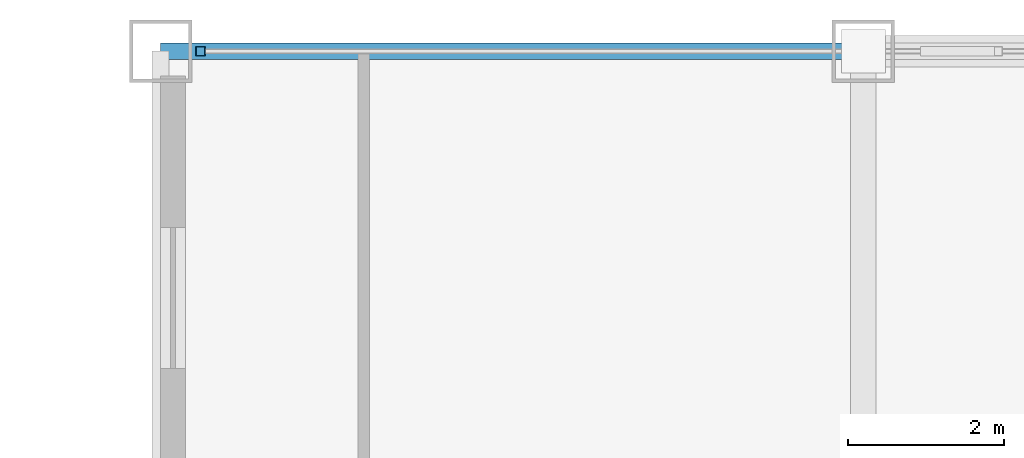
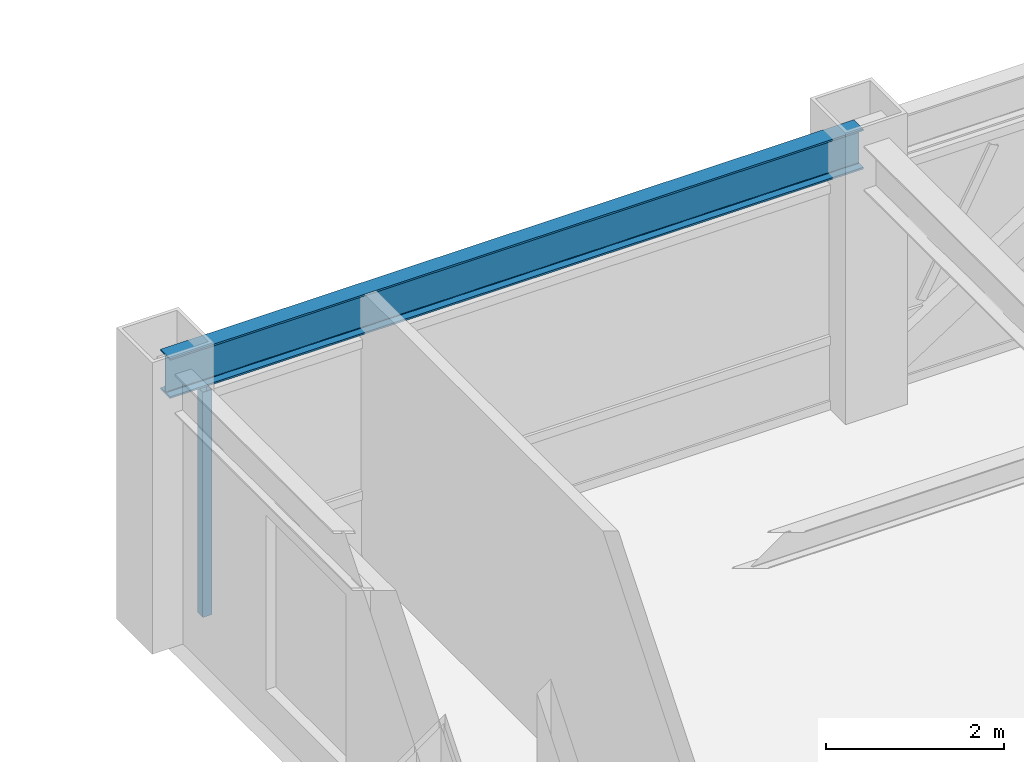
# One storey, part 16 of 28: 1 beam, 1 member, 1 element without a shape of its own.
"""IFC4 building model written with IfcOpenShell, lengths in metres."""

from ifc_helpers import new_model, si_unit, direction, frame, origin, origin_2d, place, context, subcontext, project, spatial, hollow_rectangle, i_section, extrude, source, transform, mapped, material, material_profile, profile_set, type_object, element, aggregate, save


model = new_model("IFC4")

# Units and contexts
model_context = context("Model", 3, precision=1e-05, world=origin(), true_north=direction((0.0, 1.0)))
body_context = subcontext(model_context, "Body", "Model", "MODEL_VIEW")
ifc_project = project(units=[si_unit("LENGTHUNIT", "METRE"), si_unit("AREAUNIT", "SQUARE_METRE"), si_unit("VOLUMEUNIT", "CUBIC_METRE"), si_unit("PLANEANGLEUNIT", "RADIAN"), si_unit("MASSUNIT", "GRAM", prefix="KILO")], contexts=[model_context])

# Site, building, storey
site_placement = place(None, origin())
site = spatial("IfcSite", under=ifc_project, at=site_placement, CompositionType="ELEMENT")
building_placement = place(site_placement, origin())
building = spatial("IfcBuilding", under=site, at=building_placement, Name="Khorayat Bourse Tower", CompositionType="ELEMENT")
storey_placement = place(building_placement, frame((0.0, 0.0, 338.300048828125)))
storey = spatial("IfcBuildingStorey", under=building, at=storey_placement, Name="L80", CompositionType="ELEMENT", Elevation=338.300048828125)

# Beam
ifc_material_1 = material(Name="Steel ASTM A992 Grade 50", Category="steel")
ifc_material_profile_1 = material_profile(ifc_material_1, i_section(OverallWidth=0.214111328125, OverallDepth=0.549072265625, WebThickness=0.0146484375, FlangeThickness=0.023681640625, FilletRadius=0.013916015625, at=origin_2d()), Name="W530X138")
ifc_profile_set_1 = profile_set([ifc_material_profile_1], Name="Steel ASTM A992 Grade 50")
beam_type = type_object("IfcBeamType", Name="BM-SPAN-530", PredefinedType="SPANDREL", material=ifc_profile_set_1)
shared_shape_1 = source(origin(), body_context, "Body", "SweptSolid", [
    extrude(i_section(OverallWidth=0.214111328125, OverallDepth=0.549072265625, WebThickness=0.0146484375, FlangeThickness=0.023681640625, FilletRadius=0.013916015625, at=origin_2d()), origin(), (0.0, 0.0, 1.0), 9.0),
])
beam_placement = place(storey_placement, frame((-20.0, 26.0, 3.46533203125), z_axis=(1.0, 0.0, 0.0), x_axis=(0.0, 1.0, 0.0)))
element("IfcBeam", 1, at=beam_placement, inside=storey, type_object=beam_type, Name="L80 BM-SPAN-530 BM-L80-SPN-045", PredefinedType="SPANDREL", context=body_context, shape_type="MappedRepresentation", body=[
    mapped(shared_shape_1, transform((0.0, 0.0, 0.0), scale=1.0)),
])

# Curtain wall, member
ifc_material_2 = material(Name="Aluminium EN AW-6063 T6", Category="aluminium")
curtain_wall_type = type_object("IfcCurtainWallType", Name="CW-SYS-04", PredefinedType="NOTDEFINED", material=ifc_material_2)
curtain_wall_placement = place(storey_placement, origin())
curtain_wall = element("IfcCurtainWall", 2, at=curtain_wall_placement, inside=storey, type_object=curtain_wall_type, Name="L80 Curtain Wall CW-L80-N1", PredefinedType="NOTDEFINED")
ifc_material_profile_2 = material_profile(ifc_material_2, hollow_rectangle(XDim=0.1201171875, YDim=0.1201171875, WallThickness=0.0048828125, at=origin_2d()), Name="ALU 120x120x5")
ifc_profile_set_2 = profile_set([ifc_material_profile_2], Name="Aluminium EN AW-6063 T6")
member_type = type_object("IfcMemberType", Name="CWM-VERT-120", PredefinedType="MULLION", material=ifc_profile_set_2)
shared_shape_2 = source(origin(), body_context, "Body", "SweptSolid", [
    extrude(hollow_rectangle(XDim=0.1201171875, YDim=0.1201171875, WallThickness=0.0048828125, at=origin_2d()), origin(), (0.0, 0.0, 1.0), 3.08984375),
])
member_placement = place(storey_placement, frame((-19.489990234375, 26.0, 0.0), z_axis=(0.0, 0.0, 1.0), x_axis=(0.0, 1.0, 0.0)))
member = element("IfcMember", 3, at=member_placement, type_object=member_type, Name="CW-L80-N1 Vertical Mullion 1", PredefinedType="MULLION", context=body_context, shape_type="MappedRepresentation", body=[
    mapped(shared_shape_2, transform((0.0, 0.0, 0.0), scale=1.0)),
])
aggregate(curtain_wall, [member])

save(model, "model.ifc")
